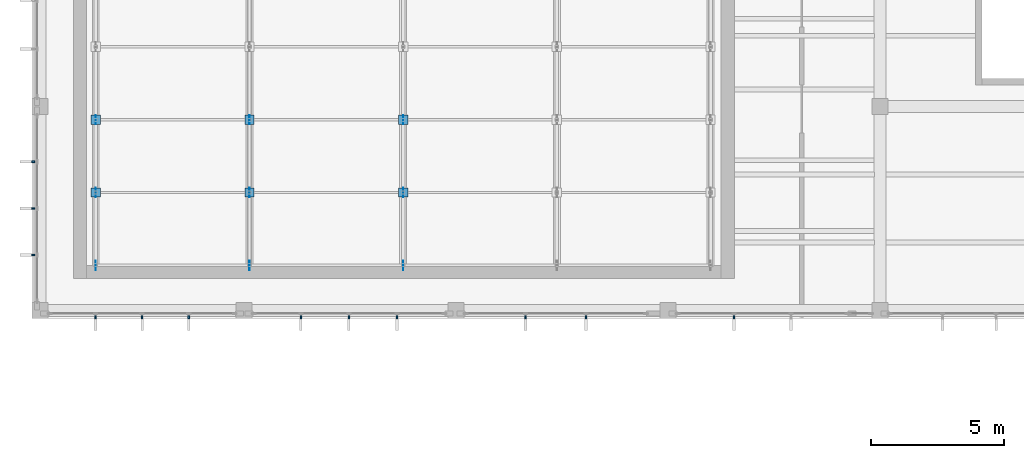
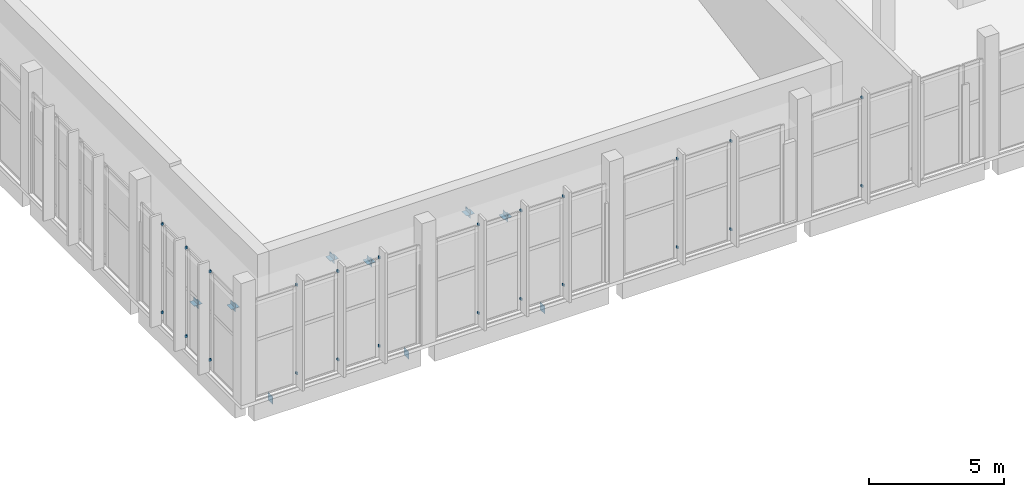
# One storey, part 86 of 132: 39 discrete accessories.
"""IFC4 building model written with IfcOpenShell, lengths in metres."""

from ifc_helpers import new_model, si_unit, direction, frame, origin, origin_2d, place, context, subcontext, project, spatial, rectangle, extrude, material, layer, layer_set, type_object, element, save


model = new_model("IFC4")

# Units and contexts
model_context = context("Model", 3, precision=1e-05, world=origin(), true_north=direction((0.0, 1.0)))
body_context = subcontext(model_context, "Body", "Model", "MODEL_VIEW")
ifc_project = project(units=[si_unit("LENGTHUNIT", "METRE"), si_unit("AREAUNIT", "SQUARE_METRE"), si_unit("VOLUMEUNIT", "CUBIC_METRE"), si_unit("PLANEANGLEUNIT", "RADIAN"), si_unit("MASSUNIT", "GRAM", prefix="KILO")], contexts=[model_context])

# Site, building, storey
site_placement = place(None, origin())
site = spatial("IfcSite", under=ifc_project, at=site_placement, CompositionType="ELEMENT")
building_placement = place(site_placement, origin())
building = spatial("IfcBuilding", under=site, at=building_placement, Name="Lunette Opera House", CompositionType="ELEMENT")
storey_placement = place(building_placement, frame((0.0, 0.0, 17.0)))
storey = spatial("IfcBuildingStorey", under=building, at=storey_placement, Name="L03", CompositionType="ELEMENT", Elevation=17.0)

# Discrete accessories
ifc_material_1 = material(Name="Steel S355", Category="steel")
ifc_layer = layer(ifc_material_1, 0.011962890625)
ifc_layer_set = layer_set([ifc_layer], Name="Steel S355")
discrete_accessory_type_1 = type_object("IfcDiscreteAccessoryType", Name="BRACE GUSSET PLATE 12", PredefinedType="USERDEFINED", material=ifc_layer_set)
for number, where, z_axis, x_axis, name in (
    (1, (10.39990234375, 66.0, -1.880126953125), (0.0, 0.0, 1.0), (0.0, 1.0, 0.0), "Gusset plate 187"),
    (2, (10.39990234375, 68.75, 0.60498046875), (0.0, 0.0, 1.0), (0.0, 1.0, 0.0), "Gusset plate 188"),
):
    element("IfcDiscreteAccessory", number, at=place(storey_placement, frame(where, z_axis=z_axis, x_axis=x_axis)), inside=storey, type_object=discrete_accessory_type_1, Name=name, ObjectType="GUSSET PLATE", PredefinedType="USERDEFINED", context=body_context, shape_type="SweptSolid", body=[
        extrude(rectangle(XDim=0.35009765625, YDim=0.011962890625, at=origin_2d()), origin(), (0.0, 0.0, 1.0), 0.35009765625),
    ])
for number, where, z_axis, x_axis, name in (
    (3, (10.39990234375, 68.75, 0.77392578125), (0.0, 0.0, 1.0), (0.0, 1.0, 0.0), "Gusset plate 189"),
    (4, (10.39990234375, 71.5, -0.7412109375), (0.0, 0.0, 1.0), (0.0, 1.0, 0.0), "Gusset plate 190"),
):
    element("IfcDiscreteAccessory", number, at=place(storey_placement, frame(where, z_axis=z_axis, x_axis=x_axis)), inside=storey, type_object=discrete_accessory_type_1, Name=name, ObjectType="GUSSET PLATE", PredefinedType="USERDEFINED", context=body_context, shape_type="SweptSolid", body=[
        extrude(rectangle(XDim=0.35009765625, YDim=0.35009765625, at=origin_2d()), origin(), (0.0, 0.0, 1.0), 0.011962890625),
    ])
for number, where, z_axis, x_axis, name in (
    (5, (10.39990234375, 71.5, -0.91015625), (0.0, 0.0, 1.0), (0.0, 1.0, 0.0), "Gusset plate 191"),
    (6, (16.199951171875, 66.0, -1.880126953125), (0.0, 0.0, 1.0), (0.0, 1.0, 0.0), "Gusset plate 203"),
    (7, (16.199951171875, 68.75, 0.60498046875), (0.0, 0.0, 1.0), (0.0, 1.0, 0.0), "Gusset plate 204"),
):
    element("IfcDiscreteAccessory", number, at=place(storey_placement, frame(where, z_axis=z_axis, x_axis=x_axis)), inside=storey, type_object=discrete_accessory_type_1, Name=name, ObjectType="GUSSET PLATE", PredefinedType="USERDEFINED", context=body_context, shape_type="SweptSolid", body=[
        extrude(rectangle(XDim=0.35009765625, YDim=0.011962890625, at=origin_2d()), origin(), (0.0, 0.0, 1.0), 0.35009765625),
    ])
for number, where, z_axis, x_axis, name in (
    (8, (16.199951171875, 68.75, 0.77392578125), (0.0, 0.0, 1.0), (0.0, 1.0, 0.0), "Gusset plate 205"),
    (9, (16.199951171875, 71.5, -0.7412109375), (0.0, 0.0, 1.0), (0.0, 1.0, 0.0), "Gusset plate 206"),
):
    element("IfcDiscreteAccessory", number, at=place(storey_placement, frame(where, z_axis=z_axis, x_axis=x_axis)), inside=storey, type_object=discrete_accessory_type_1, Name=name, ObjectType="GUSSET PLATE", PredefinedType="USERDEFINED", context=body_context, shape_type="SweptSolid", body=[
        extrude(rectangle(XDim=0.35009765625, YDim=0.35009765625, at=origin_2d()), origin(), (0.0, 0.0, 1.0), 0.011962890625),
    ])
for number, where, z_axis, x_axis, name in (
    (10, (16.199951171875, 71.5, -0.91015625), (0.0, 0.0, 1.0), (0.0, 1.0, 0.0), "Gusset plate 207"),
    (11, (22.0, 66.0, -1.880126953125), (0.0, 0.0, 1.0), (0.0, 1.0, 0.0), "Gusset plate 219"),
    (12, (22.0, 68.75, 0.60498046875), (0.0, 0.0, 1.0), (0.0, 1.0, 0.0), "Gusset plate 220"),
):
    element("IfcDiscreteAccessory", number, at=place(storey_placement, frame(where, z_axis=z_axis, x_axis=x_axis)), inside=storey, type_object=discrete_accessory_type_1, Name=name, ObjectType="GUSSET PLATE", PredefinedType="USERDEFINED", context=body_context, shape_type="SweptSolid", body=[
        extrude(rectangle(XDim=0.35009765625, YDim=0.011962890625, at=origin_2d()), origin(), (0.0, 0.0, 1.0), 0.35009765625),
    ])
for number, where, z_axis, x_axis, name in (
    (13, (22.0, 68.75, 0.77392578125), (0.0, 0.0, 1.0), (0.0, 1.0, 0.0), "Gusset plate 221"),
    (14, (22.0, 71.5, -0.7412109375), (0.0, 0.0, 1.0), (0.0, 1.0, 0.0), "Gusset plate 222"),
):
    element("IfcDiscreteAccessory", number, at=place(storey_placement, frame(where, z_axis=z_axis, x_axis=x_axis)), inside=storey, type_object=discrete_accessory_type_1, Name=name, ObjectType="GUSSET PLATE", PredefinedType="USERDEFINED", context=body_context, shape_type="SweptSolid", body=[
        extrude(rectangle(XDim=0.35009765625, YDim=0.35009765625, at=origin_2d()), origin(), (0.0, 0.0, 1.0), 0.011962890625),
    ])
discrete_accessory_placement = place(storey_placement, frame((22.0, 71.5, -0.91015625), z_axis=(0.0, 0.0, 1.0), x_axis=(0.0, 1.0, 0.0)))
element("IfcDiscreteAccessory", 15, at=discrete_accessory_placement, inside=storey, type_object=discrete_accessory_type_1, Name="Gusset plate 223", ObjectType="GUSSET PLATE", PredefinedType="USERDEFINED", context=body_context, shape_type="SweptSolid", body=[
    extrude(rectangle(XDim=0.35009765625, YDim=0.011962890625, at=origin_2d()), origin(), (0.0, 0.0, 1.0), 0.35009765625),
])
ifc_material_2 = material(Name="Galvanised steel", Category="steel")
discrete_accessory_type_2 = type_object("IfcDiscreteAccessoryType", Name="FIN BRACKET STEEL", PredefinedType="BRACKET", material=ifc_material_2)
for number, where, z_axis, x_axis, name in (
    (16, (8.0419921875, 69.909912109375, 0.56494140625), (0.0, 0.0, 1.0), (-1.0, 0.0, 0.0), "Fin bracket RW-X2048 1 1"),
    (17, (8.0419921875, 69.909912109375, 4.550048828125), (0.0, 0.0, 1.0), (-1.0, 0.0, 0.0), "Fin bracket RW-X2048 1 2"),
    (18, (8.0419921875, 68.14990234375, 0.56494140625), (0.0, 0.0, 1.0), (-1.0, 0.0, 0.0), "Fin bracket RW-X2048 2 1"),
    (19, (8.0419921875, 68.14990234375, 4.550048828125), (0.0, 0.0, 1.0), (-1.0, 0.0, 0.0), "Fin bracket RW-X2048 2 2"),
    (20, (8.0419921875, 66.389892578125, 0.56494140625), (0.0, 0.0, 1.0), (-1.0, 0.0, 0.0), "Fin bracket RW-X2048 3 1"),
    (21, (8.0419921875, 66.389892578125, 4.550048828125), (0.0, 0.0, 1.0), (-1.0, 0.0, 0.0), "Fin bracket RW-X2048 3 2"),
    (22, (10.389892578125, 64.04296875, 0.56494140625), (0.0, 0.0, 1.0), (0.0, -1.0, 0.0), "Fin bracket RW-X2049 1 1"),
    (23, (10.389892578125, 64.04296875, 4.550048828125), (0.0, 0.0, 1.0), (0.0, -1.0, 0.0), "Fin bracket RW-X2049 1 2"),
    (24, (12.14990234375, 64.04296875, 0.56494140625), (0.0, 0.0, 1.0), (0.0, -1.0, 0.0), "Fin bracket RW-X2049 2 1"),
    (25, (12.14990234375, 64.04296875, 4.550048828125), (0.0, 0.0, 1.0), (0.0, -1.0, 0.0), "Fin bracket RW-X2049 2 2"),
    (26, (13.909912109375, 64.04296875, 0.56494140625), (0.0, 0.0, 1.0), (0.0, -1.0, 0.0), "Fin bracket RW-X2049 3 1"),
    (27, (13.909912109375, 64.04296875, 4.550048828125), (0.0, 0.0, 1.0), (0.0, -1.0, 0.0), "Fin bracket RW-X2049 3 2"),
    (28, (18.14208984375, 64.04296875, 0.56494140625), (0.0, 0.0, 1.0), (0.0, -1.0, 0.0), "Fin bracket RW-X2050 1 1"),
    (29, (18.14208984375, 64.04296875, 4.550048828125), (0.0, 0.0, 1.0), (0.0, -1.0, 0.0), "Fin bracket RW-X2050 1 2"),
    (30, (19.952880859375, 64.04296875, 0.56494140625), (0.0, 0.0, 1.0), (0.0, -1.0, 0.0), "Fin bracket RW-X2050 2 1"),
    (31, (19.952880859375, 64.04296875, 4.550048828125), (0.0, 0.0, 1.0), (0.0, -1.0, 0.0), "Fin bracket RW-X2050 2 2"),
    (32, (21.764892578125, 64.04296875, 0.56494140625), (0.0, 0.0, 1.0), (0.0, -1.0, 0.0), "Fin bracket RW-X2050 3 1"),
    (33, (21.764892578125, 64.04296875, 4.550048828125), (0.0, 0.0, 1.0), (0.0, -1.0, 0.0), "Fin bracket RW-X2050 3 2"),
    (34, (26.614013671875, 64.04296875, 0.56494140625), (0.0, 0.0, 1.0), (0.0, -1.0, 0.0), "Fin bracket RW-X2051 1 1"),
    (35, (26.614013671875, 64.04296875, 4.550048828125), (0.0, 0.0, 1.0), (0.0, -1.0, 0.0), "Fin bracket RW-X2051 1 2"),
    (36, (28.89892578125, 64.04296875, 0.56494140625), (0.0, 0.0, 1.0), (0.0, -1.0, 0.0), "Fin bracket RW-X2051 2 1"),
    (37, (28.89892578125, 64.04296875, 4.550048828125), (0.0, 0.0, 1.0), (0.0, -1.0, 0.0), "Fin bracket RW-X2051 2 2"),
    (38, (34.48291015625, 64.04296875, 0.56494140625), (0.0, 0.0, 1.0), (0.0, -1.0, 0.0), "Fin bracket RW-X2052 1 1"),
    (39, (34.48291015625, 64.04296875, 4.550048828125), (0.0, 0.0, 1.0), (0.0, -1.0, 0.0), "Fin bracket RW-X2052 1 2"),
):
    element("IfcDiscreteAccessory", number, at=place(storey_placement, frame(where, z_axis=z_axis, x_axis=x_axis)), inside=storey, type_object=discrete_accessory_type_2, Name=name, PredefinedType="BRACKET", context=body_context, shape_type="SweptSolid", body=[
        extrude(rectangle(XDim=0.10009765625, YDim=0.06005859375, at=origin_2d()), origin(), (0.0, 0.0, 1.0), 0.10009765625),
    ])

save(model, "model.ifc")
